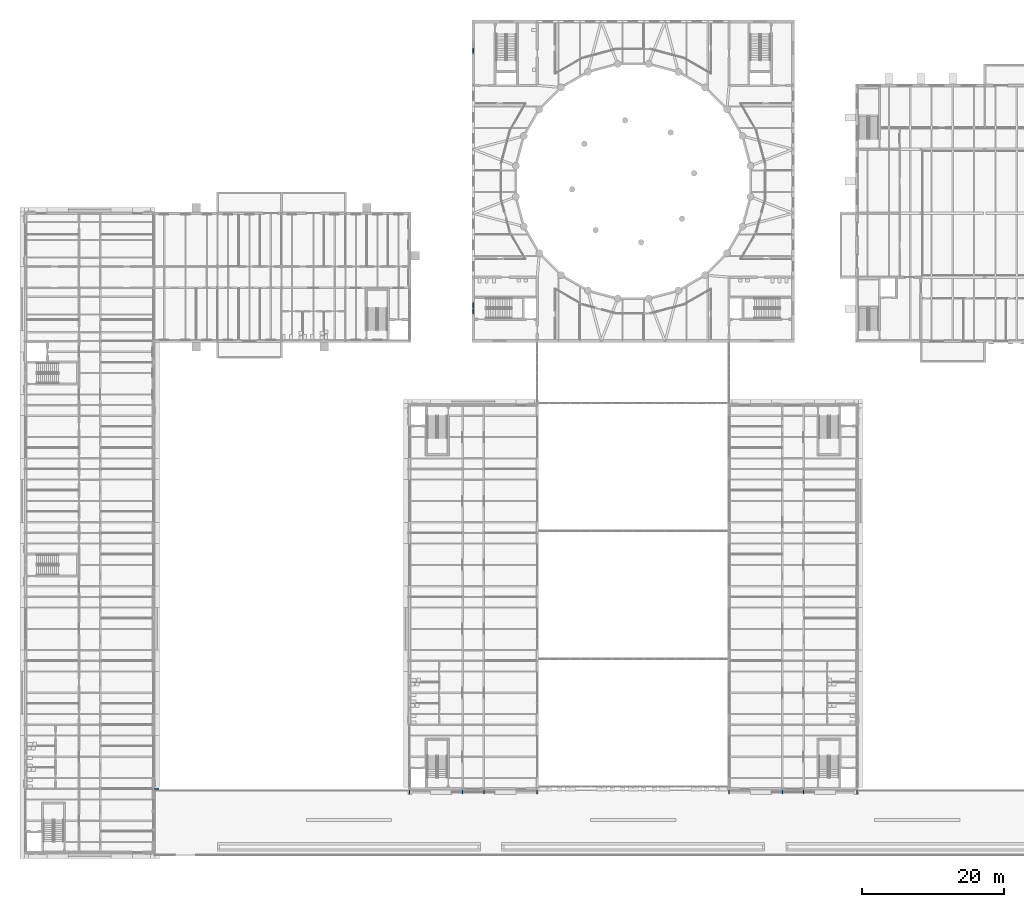
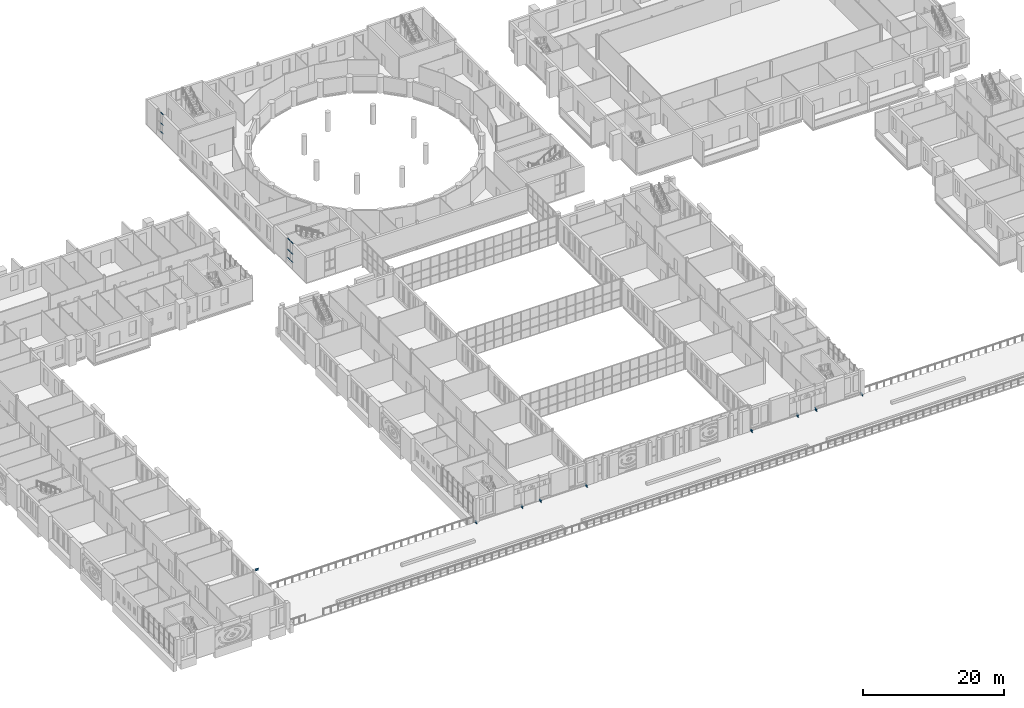
# One storey, part 54 of 134: 9 beams, 9 members, 2 elements without a shape of their own.
"""IFC4 building model written with IfcOpenShell, lengths in metres."""

from ifc_helpers import new_model, si_unit, direction, frame, origin, origin_2d, place, context, subcontext, project, spatial, hollow_rectangle, i_section, extrude, material, material_profile, profile_set, type_object, element, aggregate, save


model = new_model("IFC4")

# Units and contexts
model_context = context("Model", 3, precision=1e-05, world=origin(), true_north=direction((0.0, 1.0)))
body_context = subcontext(model_context, "Body", "Model", "MODEL_VIEW")
ifc_project = project(units=[si_unit("LENGTHUNIT", "METRE"), si_unit("AREAUNIT", "SQUARE_METRE"), si_unit("VOLUMEUNIT", "CUBIC_METRE"), si_unit("PLANEANGLEUNIT", "RADIAN"), si_unit("MASSUNIT", "GRAM", prefix="KILO")], contexts=[model_context])

# Site, building, storey
site_placement = place(None, origin())
site = spatial("IfcSite", under=ifc_project, at=site_placement, CompositionType="ELEMENT")
building_placement = place(site_placement, origin())
building = spatial("IfcBuilding", under=site, at=building_placement, Name="Golden Quay Civic Hall", CompositionType="ELEMENT")
storey_placement = place(building_placement, frame((0.0, 0.0, 5.39990234375)))
storey = spatial("IfcBuildingStorey", under=building, at=storey_placement, Name="L01", CompositionType="ELEMENT", Elevation=5.39990234375)

# Curtain wall, members
ifc_material_1 = material(Name="Fire-resisting glass and steel", Category="steel")
curtain_wall_type = type_object("IfcCurtainWallType", Name="Fire-resisting glazed stair curtain wall EI 120", PredefinedType="NOTDEFINED", material=ifc_material_1)
curtain_wall_1_placement = place(storey_placement, origin())
curtain_wall_1 = element("IfcCurtainWall", 1, at=curtain_wall_1_placement, inside=storey, type_object=curtain_wall_type, Name="CW4 stair curtain wall", PredefinedType="NOTDEFINED")
ifc_material_2 = material(Name="Steel S355", Category="steel")
ifc_material_profile_1 = material_profile(ifc_material_2, hollow_rectangle(XDim=0.1201171875, YDim=0.1201171875, WallThickness=0.012451171875, at=origin_2d()), Name="SHS 120x120x12.5")
ifc_profile_set_1 = profile_set([ifc_material_profile_1], Name="Steel S355")
member_type = type_object("IfcMemberType", Name="Fire-resisting steel stair transom 120 x 120", PredefinedType="USERDEFINED", material=ifc_profile_set_1)
member_1_placement = place(storey_placement, frame((63.0, 66.844970703125, 0.960205078125), z_axis=(0.0, 1.0, 0.0), x_axis=(-1.0, 0.0, 0.0)))
member_1 = element("IfcMember", 2, at=member_1_placement, type_object=member_type, Name="CW4 transom 1.1", ObjectType="TRANSOM", PredefinedType="USERDEFINED", context=body_context, shape_type="SweptSolid", body=[
    extrude(hollow_rectangle(XDim=0.1201171875, YDim=0.1201171875, WallThickness=0.012451171875, at=origin_2d()), origin(), (0.0, 0.0, 1.0), 0.719970703125),
])
member_2_placement = place(storey_placement, frame((63.0, 66.844970703125, 2.400146484375), z_axis=(0.0, 1.0, 0.0), x_axis=(-1.0, 0.0, 0.0)))
member_2 = element("IfcMember", 3, at=member_2_placement, type_object=member_type, Name="CW4 transom 1.2", ObjectType="TRANSOM", PredefinedType="USERDEFINED", context=body_context, shape_type="SweptSolid", body=[
    extrude(hollow_rectangle(XDim=0.1201171875, YDim=0.1201171875, WallThickness=0.012451171875, at=origin_2d()), origin(), (0.0, 0.0, 1.0), 0.719970703125),
])
member_3_placement = place(storey_placement, frame((63.0, 66.844970703125, 4.239990234375), z_axis=(0.0, 1.0, 0.0), x_axis=(-1.0, 0.0, 0.0)))
member_3 = element("IfcMember", 4, at=member_3_placement, type_object=member_type, Name="CW4 transom 1.3", ObjectType="TRANSOM", PredefinedType="USERDEFINED", context=body_context, shape_type="SweptSolid", body=[
    extrude(hollow_rectangle(XDim=0.1201171875, YDim=0.1201171875, WallThickness=0.012451171875, at=origin_2d()), origin(), (0.0, 0.0, 1.0), 0.719970703125),
])
member_4_placement = place(storey_placement, frame((63.0, 67.68505859375, 0.960205078125), z_axis=(0.0, 1.0, 0.0), x_axis=(-1.0, 0.0, 0.0)))
member_4 = element("IfcMember", 5, at=member_4_placement, type_object=member_type, Name="CW4 transom 2.1", ObjectType="TRANSOM", PredefinedType="USERDEFINED", context=body_context, shape_type="SweptSolid", body=[
    extrude(hollow_rectangle(XDim=0.1201171875, YDim=0.1201171875, WallThickness=0.012451171875, at=origin_2d()), origin(), (0.0, 0.0, 1.0), 0.719970703125),
])
member_5_placement = place(storey_placement, frame((63.0, 67.68505859375, 2.400146484375), z_axis=(0.0, 1.0, 0.0), x_axis=(-1.0, 0.0, 0.0)))
member_5 = element("IfcMember", 6, at=member_5_placement, type_object=member_type, Name="CW4 transom 2.2", ObjectType="TRANSOM", PredefinedType="USERDEFINED", context=body_context, shape_type="SweptSolid", body=[
    extrude(hollow_rectangle(XDim=0.1201171875, YDim=0.1201171875, WallThickness=0.012451171875, at=origin_2d()), origin(), (0.0, 0.0, 1.0), 0.719970703125),
])
member_6_placement = place(storey_placement, frame((63.0, 67.68505859375, 4.239990234375), z_axis=(0.0, 1.0, 0.0), x_axis=(-1.0, 0.0, 0.0)))
member_6 = element("IfcMember", 7, at=member_6_placement, type_object=member_type, Name="CW4 transom 2.3", ObjectType="TRANSOM", PredefinedType="USERDEFINED", context=body_context, shape_type="SweptSolid", body=[
    extrude(hollow_rectangle(XDim=0.1201171875, YDim=0.1201171875, WallThickness=0.012451171875, at=origin_2d()), origin(), (0.0, 0.0, 1.0), 0.719970703125),
])
aggregate(curtain_wall_1, [member_1, member_2, member_3, member_4, member_5, member_6])

curtain_wall_2_placement = place(storey_placement, origin())
curtain_wall_2 = element("IfcCurtainWall", 8, at=curtain_wall_2_placement, inside=storey, type_object=curtain_wall_type, Name="CW4 stair curtain wall", PredefinedType="NOTDEFINED")
member_7_placement = place(storey_placement, frame((63.0, 103.52001953125, 0.960205078125), z_axis=(0.0, 1.0, 0.0), x_axis=(-1.0, 0.0, 0.0)))
member_7 = element("IfcMember", 9, at=member_7_placement, type_object=member_type, Name="CW4 transom 1.1", ObjectType="TRANSOM", PredefinedType="USERDEFINED", context=body_context, shape_type="SweptSolid", body=[
    extrude(hollow_rectangle(XDim=0.1201171875, YDim=0.1201171875, WallThickness=0.012451171875, at=origin_2d()), origin(), (0.0, 0.0, 1.0), 0.719970703125),
])
member_8_placement = place(storey_placement, frame((63.0, 103.52001953125, 2.400146484375), z_axis=(0.0, 1.0, 0.0), x_axis=(-1.0, 0.0, 0.0)))
member_8 = element("IfcMember", 10, at=member_8_placement, type_object=member_type, Name="CW4 transom 1.2", ObjectType="TRANSOM", PredefinedType="USERDEFINED", context=body_context, shape_type="SweptSolid", body=[
    extrude(hollow_rectangle(XDim=0.1201171875, YDim=0.1201171875, WallThickness=0.012451171875, at=origin_2d()), origin(), (0.0, 0.0, 1.0), 0.719970703125),
])
member_9_placement = place(storey_placement, frame((63.0, 103.52001953125, 4.239990234375), z_axis=(0.0, 1.0, 0.0), x_axis=(-1.0, 0.0, 0.0)))
member_9 = element("IfcMember", 11, at=member_9_placement, type_object=member_type, Name="CW4 transom 1.3", ObjectType="TRANSOM", PredefinedType="USERDEFINED", context=body_context, shape_type="SweptSolid", body=[
    extrude(hollow_rectangle(XDim=0.1201171875, YDim=0.1201171875, WallThickness=0.012451171875, at=origin_2d()), origin(), (0.0, 0.0, 1.0), 0.719970703125),
])
aggregate(curtain_wall_2, [member_7, member_8, member_9])

# Beams
ifc_material_3 = material(Name="Steel S355", Category="steel")
ifc_material_profile_2 = material_profile(ifc_material_3, i_section(OverallWidth=0.159912109375, OverallDepth=0.330078125, WebThickness=0.007568359375, FlangeThickness=0.011474609375, FilletRadius=0.01806640625, at=origin_2d()), Name="IPE 330")
ifc_profile_set_2 = profile_set([ifc_material_profile_2], Name="Steel S355")
beam_type = type_object("IfcBeamType", Name="Steel pier bearing stub IPE 330", PredefinedType="BEAM", material=ifc_profile_set_2)
beam_placement = place(storey_placement, frame((18.14990234375, 0.0, 4.135009765625), z_axis=(1.0, 0.0, 0.0), x_axis=(0.0, 1.0, 0.0)))
element("IfcBeam", 12, at=beam_placement, inside=storey, type_object=beam_type, Name="Steel pier bearing stub IPE 330 L01 1", PredefinedType="BEAM", context=body_context, shape_type="SweptSolid", body=[
    extrude(i_section(OverallWidth=0.159912109375, OverallDepth=0.330078125, WebThickness=0.007568359375, FlangeThickness=0.011474609375, FilletRadius=0.01806640625, at=origin_2d()), origin(), (0.0, 0.0, 1.0), 0.60009765625),
])
for number, where, z_axis, x_axis, name in (
    (13, (54.0, -0.135009765625, 0.1650390625), (0.0, -1.0, 0.0), (1.0, 0.0, 0.0), "Steel pier bearing stub IPE 330 L01 2"),
    (14, (61.5, -0.135009765625, 0.1650390625), (0.0, -1.0, 0.0), (1.0, 0.0, 0.0), "Steel pier bearing stub IPE 330 L01 3"),
    (15, (64.5, -0.135009765625, 0.1650390625), (0.0, -1.0, 0.0), (1.0, 0.0, 0.0), "Steel pier bearing stub IPE 330 L01 4"),
    (16, (72.0, -0.135009765625, 0.1650390625), (0.0, -1.0, 0.0), (1.0, 0.0, 0.0), "Steel pier bearing stub IPE 330 L01 5"),
    (17, (117.0, -0.135009765625, 0.1650390625), (0.0, -1.0, 0.0), (1.0, 0.0, 0.0), "Steel pier bearing stub IPE 330 L01 6"),
    (18, (99.0, -0.135009765625, 0.1650390625), (0.0, -1.0, 0.0), (1.0, 0.0, 0.0), "Steel pier bearing stub IPE 330 L01 7"),
    (19, (106.5, -0.135009765625, 0.1650390625), (0.0, -1.0, 0.0), (1.0, 0.0, 0.0), "Steel pier bearing stub IPE 330 L01 8"),
    (20, (109.5, -0.135009765625, 0.1650390625), (0.0, -1.0, 0.0), (1.0, 0.0, 0.0), "Steel pier bearing stub IPE 330 L01 9"),
):
    element("IfcBeam", number, at=place(storey_placement, frame(where, z_axis=z_axis, x_axis=x_axis)), inside=storey, type_object=beam_type, Name=name, PredefinedType="BEAM", context=body_context, shape_type="SweptSolid", body=[
        extrude(i_section(OverallWidth=0.159912109375, OverallDepth=0.330078125, WebThickness=0.007568359375, FlangeThickness=0.011474609375, FilletRadius=0.01806640625, at=origin_2d()), origin(), (0.0, 0.0, 1.0), 0.614990234375),
    ])

save(model, "model.ifc")
